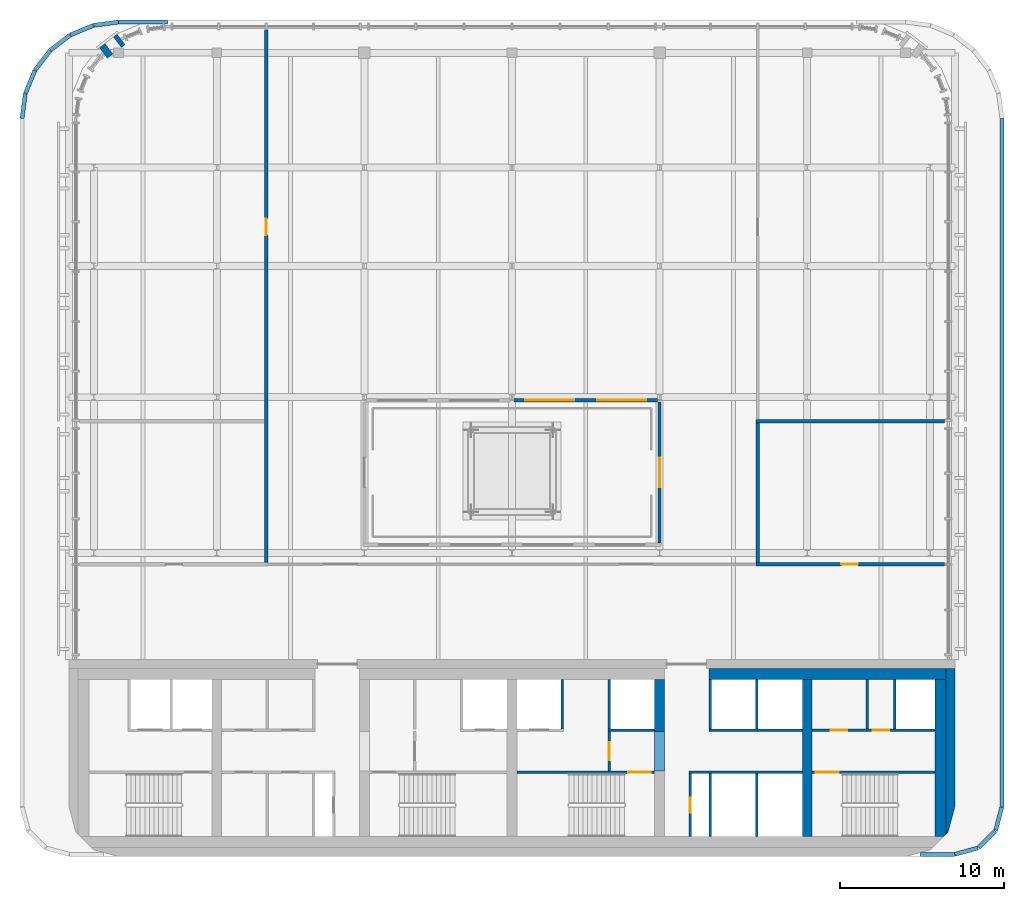
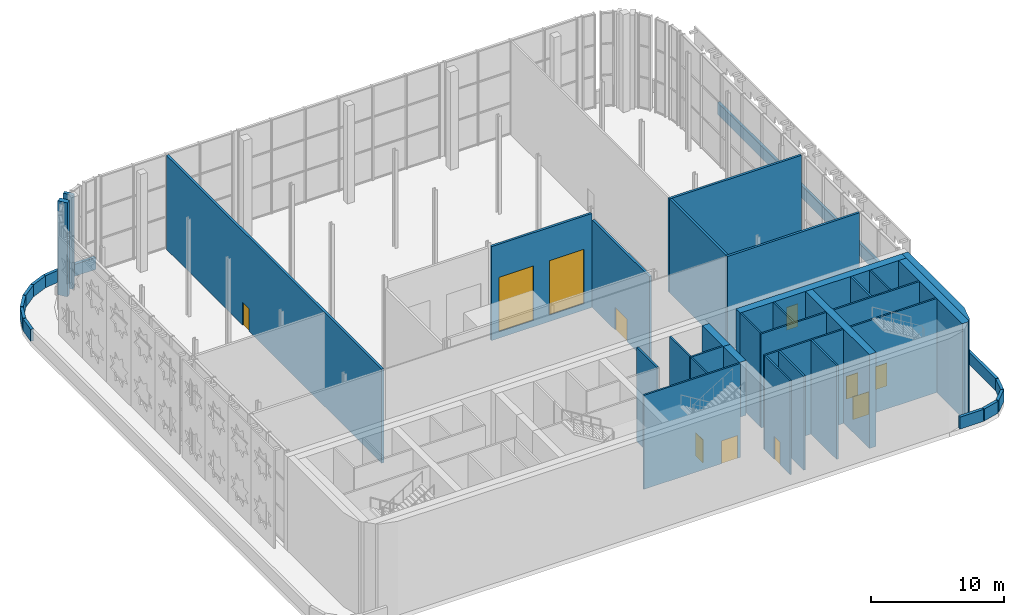
# One storey, part 19 of 26: 42 walls, 9 doors, 2 windows, 11 openings.
"""IFC4 building model written with IfcOpenShell, lengths in metres."""

from ifc_helpers import new_model, si_unit, direction, frame, frame_2d, origin, place, context, subcontext, project, spatial, polyline, rectangle, outline, extrude, material, layer, layer_set, type_object, element, fill, save


model = new_model("IFC4")

# Units and contexts
model_context = context("Model", 3, precision=1e-05, world=origin(), true_north=direction((0.0, 1.0)))
body_context = subcontext(model_context, "Body", "Model", "MODEL_VIEW")
ifc_project = project(units=[si_unit("LENGTHUNIT", "METRE"), si_unit("AREAUNIT", "SQUARE_METRE"), si_unit("VOLUMEUNIT", "CUBIC_METRE"), si_unit("PLANEANGLEUNIT", "RADIAN"), si_unit("MASSUNIT", "GRAM", prefix="KILO")], contexts=[model_context])

# Site, building, storey
site_placement = place(None, origin())
site = spatial("IfcSite", under=ifc_project, at=site_placement, CompositionType="ELEMENT")
building_placement = place(site_placement, origin())
building = spatial("IfcBuilding", under=site, at=building_placement, Name="Zellij Exchange Tower", CompositionType="ELEMENT")
storey_placement = place(building_placement, frame((0.0, 0.0, 296.5)))
storey = spatial("IfcBuildingStorey", under=building, at=storey_placement, Name="L70", CompositionType="ELEMENT", Elevation=296.5)

# Walls
ifc_material_1 = material(Name="Concrete C50/60", Category="concrete")
ifc_layer_1 = layer(ifc_material_1, 0.60009765625)
ifc_layer_set_1 = layer_set([ifc_layer_1], Name="Concrete C50/60")
wall_type_1 = type_object("IfcWallType", Name="CORE-CW 600 C50/60", PredefinedType="SHEAR", material=ifc_layer_set_1)
wall_1_placement = place(storey_placement, frame((9.0, -6.375, 0.0), z_axis=(0.0, 0.0, 1.0), x_axis=(0.0, 1.0, 0.0)))
element("IfcWall", 1, at=wall_1_placement, inside=storey, type_object=wall_type_1, Name="Core cross wall pier x 9 b L70", PredefinedType="SHEAR", context=body_context, shape_type="SweptSolid", body=[
    extrude(rectangle(XDim=3.175048828125, YDim=0.60009765625, at=frame_2d((1.58740234375, 0.0))), origin(), (0.0, 0.0, 1.0), 8.64990234375),
])
wall_2_placement = place(storey_placement, frame((9.0, -8.800048828125, 3.60009765625), z_axis=(0.0, 0.0, 1.0), x_axis=(0.0, 1.0, 0.0)))
element("IfcWall", 2, at=wall_2_placement, inside=storey, type_object=wall_type_1, Name="Core cross wall over opening x 9 L70", PredefinedType="SHEAR", context=body_context, shape_type="SweptSolid", body=[
    extrude(rectangle(XDim=2.425048828125, YDim=0.60009765625, at=frame_2d((1.21240234375, 0.0))), origin(), (0.0, 0.0, 1.0), 5.0498046875),
])
wall_3_placement = place(storey_placement, frame((18.0, -12.800048828125, 0.0), z_axis=(0.0, 0.0, 1.0), x_axis=(0.0, 1.0, 0.0)))
element("IfcWall", 3, at=wall_3_placement, inside=storey, type_object=wall_type_1, Name="Core cross wall x 18 L70", PredefinedType="SHEAR", context=body_context, shape_type="SweptSolid", body=[
    extrude(rectangle(XDim=9.60009765625, YDim=0.60009765625, at=frame_2d((4.800048828125, 0.0))), origin(), (0.0, 0.0, 1.0), 8.64990234375),
])
ifc_material_2 = material(Name="Concrete C30/37", Category="concrete")
ifc_layer_2 = layer(ifc_material_2, 0.64990234375)
ifc_layer_set_2 = layer_set([ifc_layer_2], Name="Concrete C30/37")
wall_type_2 = type_object("IfcWallType", Name="CORE-LW 650 C30/37", PredefinedType="SHEAR", material=ifc_layer_set_2)
wall_4_placement = place(storey_placement, frame((12.0, -2.875, 0.0), z_axis=(0.0, 0.0, 1.0), x_axis=(1.0, 0.0, 0.0)))
element("IfcWall", 4, at=wall_4_placement, inside=storey, type_object=wall_type_2, Name="Core wall lining front.2 L70", PredefinedType="SHEAR", context=body_context, shape_type="SweptSolid", body=[
    extrude(rectangle(XDim=14.449951171875, YDim=0.64990234375, at=frame_2d((7.22509765625, 0.0))), origin(), (0.0, 0.0, 1.0), 8.64990234375),
])
wall_5_placement = place(storey_placement, origin())
element("IfcWall", 5, at=wall_5_placement, inside=storey, type_object=wall_type_2, Name="Core wall lining end e.0 L70", PredefinedType="SHEAR", context=body_context, shape_type="SweptSolid", body=[
    extrude(outline(polyline([(25.800048828125, -12.800048828125), (25.800048828125, -3.199951171875), (26.449951171875, -3.199951171875), (26.449951171875, -12.648193359375), (26.298095703125, -12.800048828125), (25.800048828125, -12.800048828125)])), origin(), (0.0, 0.0, 1.0), 8.64990234375),
])

# Wall, opening, door
ifc_material_3 = material(Name="Gypsum shaft wall system")
ifc_layer_3 = layer(ifc_material_3, 0.14990234375)
ifc_layer_set_3 = layer_set([ifc_layer_3], Name="Gypsum shaft wall system")
wall_type_3 = type_object("IfcWallType", Name="CORE-PW 150 Firefighting lobby wall", PredefinedType="PARTITIONING", material=ifc_layer_set_3)
wall_6_placement = place(storey_placement, frame((5.925048828125, -8.800048828125, 0.0), z_axis=(0.0, 0.0, 1.0), x_axis=(0.0, 1.0, 0.0)))
wall_6 = element("IfcWall", 6, at=wall_6_placement, inside=storey, type_object=wall_type_3, Name="Firefighting lobby wall L70", PredefinedType="PARTITIONING", context=body_context, shape_type="SweptSolid", body=[
    extrude(rectangle(XDim=2.425048828125, YDim=0.14990234375, at=frame_2d((1.21240234375, 0.0))), origin(), (0.0, 0.0, 1.0), 8.64990234375),
])
opening_1_placement = place(wall_6_placement, frame((0.662109375, 0.0, 0.0)))
opening_1 = element("IfcOpeningElement", 7, at=opening_1_placement, cuts=wall_6, Name="Opening CA-37.14", PredefinedType="OPENING", context=body_context, shape_type="SweptSolid", body=[
    extrude(rectangle(XDim=1.10009765625, YDim=2.10009765625, at=frame_2d((0.550048828125, 1.050048828125))), frame((0.0, 0.0869140625, 0.0), z_axis=(0.0, -1.0, 0.0), x_axis=(1.0, 0.0, 0.0)), (0.0, 0.0, 1.0), 0.173828125),
])
ifc_material_4 = material(Name="Hollow metal fire door")
door_type_1 = type_object("IfcDoorType", Name="CORE-D F Firefighting lobby door 1100x2100 1 HR", OperationType="NOTDEFINED", PredefinedType="DOOR", material=ifc_material_4)
door_1_placement = place(opening_1_placement, origin())
door_1 = element("IfcDoor", 8, at=door_1_placement, inside=storey, type_object=door_type_1, Name="Firefighting lobby door CA-37.14", OperationType="SINGLE_SWING_RIGHT", OverallHeight=2.10009765625, OverallWidth=1.10009765625, PredefinedType="DOOR", context=body_context, shape_type="SweptSolid", body=[
    extrude(rectangle(XDim=1.10009765625, YDim=2.10009765625, at=frame_2d((0.550048828125, 1.050048828125))), frame((0.0, 0.02490234375, 0.0), z_axis=(0.0, -1.0, 0.0), x_axis=(1.0, 0.0, 0.0)), (0.0, 0.0, 1.0), 0.050048828125),
])
fill(opening_1, door_1)

# Walls
ifc_layer_4 = layer(ifc_material_3, 0.14990234375)
ifc_layer_set_4 = layer_set([ifc_layer_4], Name="Gypsum shaft wall system")
wall_type_4 = type_object("IfcWallType", Name="CORE-PW 150 Lift shaft wall", PredefinedType="PARTITIONING", material=ifc_layer_set_4)
for number, where, z_axis, x_axis, name in (
    (9, (3.074951171875, -6.22509765625, 0.0), (0.0, 0.0, 1.0), (0.0, 1.0, 0.0), "Lift shaft wall L70"),
    (10, (5.925048828125, -6.22509765625, 0.0), (0.0, 0.0, 1.0), (0.0, 1.0, 0.0), "Lift shaft wall L70"),
    (11, (12.074951171875, -6.22509765625, 0.0), (0.0, 0.0, 1.0), (0.0, 1.0, 0.0), "Lift shaft wall L70"),
    (12, (14.925048828125, -6.22509765625, 0.0), (0.0, 0.0, 1.0), (0.0, 1.0, 0.0), "Lift shaft wall L70"),
    (13, (23.324951171875, -6.22509765625, 0.0), (0.0, 0.0, 1.0), (0.0, 1.0, 0.0), "Lift shaft wall L70"),
):
    element("IfcWall", number, at=place(storey_placement, frame(where, z_axis=z_axis, x_axis=x_axis)), inside=storey, type_object=wall_type_4, Name=name, PredefinedType="PARTITIONING", context=body_context, shape_type="SweptSolid", body=[
        extrude(rectangle(XDim=3.025146484375, YDim=0.14990234375, at=frame_2d((1.5126953125, 0.0))), origin(), (0.0, 0.0, 1.0), 8.64990234375),
    ])
for number, where, z_axis, x_axis, name in (
    (14, (12.074951171875, -12.800048828125, 0.0), (0.0, 0.0, 1.0), (0.0, 1.0, 0.0), "Lift shaft wall L70"),
    (15, (14.925048828125, -12.800048828125, 0.0), (0.0, 0.0, 1.0), (0.0, 1.0, 0.0), "Lift shaft wall L70"),
):
    element("IfcWall", number, at=place(storey_placement, frame(where, z_axis=z_axis, x_axis=x_axis)), inside=storey, type_object=wall_type_4, Name=name, PredefinedType="PARTITIONING", context=body_context, shape_type="SweptSolid", body=[
        extrude(rectangle(XDim=3.85009765625, YDim=0.14990234375, at=frame_2d((1.925048828125, 0.0))), origin(), (0.0, 0.0, 1.0), 8.64990234375),
    ])
wall_7_placement = place(storey_placement, frame((5.85009765625, -6.300048828125, 0.0), z_axis=(0.0, 0.0, 1.0), x_axis=(1.0, 0.0, 0.0)))
element("IfcWall", 16, at=wall_7_placement, inside=storey, type_object=wall_type_4, Name="Lift shaft wall L70", PredefinedType="PARTITIONING", context=body_context, shape_type="SweptSolid", body=[
    extrude(rectangle(XDim=2.849853515625, YDim=0.14990234375, at=frame_2d((1.4248046875, 0.0))), origin(), (0.0, 0.0, 1.0), 8.64990234375),
])
wall_8_placement = place(storey_placement, frame((12.0, -6.300048828125, 0.0), z_axis=(0.0, 0.0, 1.0), x_axis=(1.0, 0.0, 0.0)))
element("IfcWall", 17, at=wall_8_placement, inside=storey, type_object=wall_type_4, Name="Lift shaft wall L70", PredefinedType="PARTITIONING", context=body_context, shape_type="SweptSolid", body=[
    extrude(rectangle(XDim=5.699951171875, YDim=0.14990234375, at=frame_2d((2.85009765625, 0.0))), origin(), (0.0, 0.0, 1.0), 8.64990234375),
])

# Wall, openings, doors
wall_9_placement = place(storey_placement, frame((18.300048828125, -6.300048828125, 0.0), z_axis=(0.0, 0.0, 1.0), x_axis=(1.0, 0.0, 0.0)))
wall_9 = element("IfcWall", 18, at=wall_9_placement, inside=storey, type_object=wall_type_4, Name="Lift shaft wall L70", PredefinedType="PARTITIONING", context=body_context, shape_type="SweptSolid", body=[
    extrude(rectangle(XDim=7.5, YDim=0.14990234375, at=frame_2d((3.75, 0.0))), origin(), (0.0, 0.0, 1.0), 8.64990234375),
])
opening_2_placement = place(wall_9_placement, frame((1.14990234375, 0.0, 0.0)))
opening_2 = element("IfcOpeningElement", 19, at=opening_2_placement, cuts=wall_9, Name="Opening CA-37.19", PredefinedType="OPENING", context=body_context, shape_type="SweptSolid", body=[
    extrude(rectangle(XDim=1.0, YDim=2.10009765625, at=frame_2d((0.5, 1.050048828125))), frame((0.0, 0.0869140625, 0.0), z_axis=(0.0, -1.0, 0.0), x_axis=(1.0, 0.0, 0.0)), (0.0, 0.0, 1.0), 0.173828125),
])
opening_3_placement = place(wall_9_placement, frame((3.699951171875, 0.0, 0.0)))
opening_3 = element("IfcOpeningElement", 20, at=opening_3_placement, cuts=wall_9, Name="Opening CA-37.20", PredefinedType="OPENING", context=body_context, shape_type="SweptSolid", body=[
    extrude(rectangle(XDim=1.0, YDim=2.10009765625, at=frame_2d((0.5, 1.050048828125))), frame((0.0, 0.0869140625, 0.0), z_axis=(0.0, -1.0, 0.0), x_axis=(1.0, 0.0, 0.0)), (0.0, 0.0, 1.0), 0.173828125),
])
door_type_2 = type_object("IfcDoorType", Name="CORE-D CDA Core room door 1000x2100 1.5 HR", OperationType="NOTDEFINED", PredefinedType="DOOR", material=ifc_material_4)
door_2_placement = place(opening_2_placement, origin())
door_2 = element("IfcDoor", 21, at=door_2_placement, inside=storey, type_object=door_type_2, Name="Core room door CA-37.19", OperationType="SINGLE_SWING_LEFT", OverallHeight=2.10009765625, OverallWidth=1.0, PredefinedType="DOOR", context=body_context, shape_type="SweptSolid", body=[
    extrude(rectangle(XDim=1.0, YDim=2.10009765625, at=frame_2d((0.5, 1.050048828125))), frame((0.0, 0.02490234375, 0.0), z_axis=(0.0, -1.0, 0.0), x_axis=(1.0, 0.0, 0.0)), (0.0, 0.0, 1.0), 0.050048828125),
])
fill(opening_2, door_2)
door_3_placement = place(opening_3_placement, origin())
door_3 = element("IfcDoor", 22, at=door_3_placement, inside=storey, type_object=door_type_2, Name="Core room door CA-37.20", OperationType="SINGLE_SWING_RIGHT", OverallHeight=2.10009765625, OverallWidth=1.0, PredefinedType="DOOR", context=body_context, shape_type="SweptSolid", body=[
    extrude(rectangle(XDim=1.0, YDim=2.10009765625, at=frame_2d((0.5, 1.050048828125))), frame((0.0, 0.02490234375, 0.0), z_axis=(0.0, -1.0, 0.0), x_axis=(1.0, 0.0, 0.0)), (0.0, 0.0, 1.0), 0.050048828125),
])
fill(opening_3, door_3)

# Walls
wall_10_placement = place(storey_placement, frame((10.800048828125, -8.875, 0.0), z_axis=(0.0, 0.0, 1.0), x_axis=(1.0, 0.0, 0.0)))
element("IfcWall", 23, at=wall_10_placement, inside=storey, type_object=wall_type_4, Name="Lift shaft wall L70", PredefinedType="PARTITIONING", context=body_context, shape_type="SweptSolid", body=[
    extrude(rectangle(XDim=6.89990234375, YDim=0.14990234375, at=frame_2d((3.449951171875, 0.0))), origin(), (0.0, 0.0, 1.0), 8.64990234375),
])
ifc_layer_5 = layer(ifc_material_3, 0.14990234375)
ifc_layer_set_5 = layer_set([ifc_layer_5], Name="Gypsum shaft wall system")
wall_type_5 = type_object("IfcWallType", Name="CORE-PW 150 Plant room wall", PredefinedType="PARTITIONING", material=ifc_layer_set_5)
wall_11_placement = place(storey_placement, frame((21.675048828125, -6.22509765625, 0.0), z_axis=(0.0, 0.0, 1.0), x_axis=(0.0, 1.0, 0.0)))
element("IfcWall", 24, at=wall_11_placement, inside=storey, type_object=wall_type_5, Name="Plant room wall L70", PredefinedType="PARTITIONING", context=body_context, shape_type="SweptSolid", body=[
    extrude(rectangle(XDim=3.025146484375, YDim=0.14990234375, at=frame_2d((1.5126953125, 0.0))), origin(), (0.0, 0.0, 1.0), 8.64990234375),
])

# Wall, opening, door
wall_12_placement = place(storey_placement, frame((10.875, -12.800048828125, 0.0), z_axis=(0.0, 0.0, 1.0), x_axis=(0.0, 1.0, 0.0)))
wall_12 = element("IfcWall", 25, at=wall_12_placement, inside=storey, type_object=wall_type_5, Name="Plant room wall L70", PredefinedType="PARTITIONING", context=body_context, shape_type="SweptSolid", body=[
    extrude(rectangle(XDim=3.85009765625, YDim=0.14990234375, at=frame_2d((1.925048828125, 0.0))), origin(), (0.0, 0.0, 1.0), 8.64990234375),
])
opening_4_placement = place(wall_12_placement, frame((1.47509765625, 0.0, 0.0)))
opening_4 = element("IfcOpeningElement", 26, at=opening_4_placement, cuts=wall_12, Name="Opening CA-37.17", PredefinedType="OPENING", context=body_context, shape_type="SweptSolid", body=[
    extrude(rectangle(XDim=0.89990234375, YDim=2.10009765625, at=frame_2d((0.449951171875, 1.050048828125))), frame((0.0, 0.0869140625, 0.0), z_axis=(0.0, -1.0, 0.0), x_axis=(1.0, 0.0, 0.0)), (0.0, 0.0, 1.0), 0.173828125),
])
door_type_3 = type_object("IfcDoorType", Name="CORE-D RD Riser door 900x2100 1.5 HR", OperationType="NOTDEFINED", PredefinedType="DOOR", material=ifc_material_4)
door_4_placement = place(opening_4_placement, origin())
door_4 = element("IfcDoor", 27, at=door_4_placement, inside=storey, type_object=door_type_3, Name="Riser door CA-37.17", OperationType="SINGLE_SWING_LEFT", OverallHeight=2.10009765625, OverallWidth=0.89990234375, PredefinedType="DOOR", context=body_context, shape_type="SweptSolid", body=[
    extrude(rectangle(XDim=0.89990234375, YDim=2.10009765625, at=frame_2d((0.449951171875, 1.050048828125))), frame((0.0, 0.02490234375, 0.0), z_axis=(0.0, -1.0, 0.0), x_axis=(1.0, 0.0, 0.0)), (0.0, 0.0, 1.0), 0.050048828125),
])
fill(opening_4, door_4)

# Wall
ifc_layer_6 = layer(ifc_material_1, 0.550048828125)
ifc_layer_set_6 = layer_set([ifc_layer_6], Name="Concrete C50/60")
wall_type_6 = type_object("IfcWallType", Name="CORE-SW 550 C50/60", PredefinedType="SHEAR", material=ifc_layer_set_6)
wall_13_placement = place(storey_placement, origin())
element("IfcWall", 28, at=wall_13_placement, inside=storey, type_object=wall_type_6, Name="Core shear wall end e L70", PredefinedType="SHEAR", context=body_context, shape_type="SweptSolid", body=[
    extrude(outline(polyline([(27.0, -11.0), (26.59814453125, -12.5), (26.449951171875, -12.648193359375), (26.449951171875, -2.550048828125), (27.0, -2.550048828125), (27.0, -11.0)])), origin(), (0.0, 0.0, 1.0), 8.64990234375),
])

# Wall, opening, door
ifc_layer_7 = layer(ifc_material_1, 0.14990234375)
ifc_layer_set_7 = layer_set([ifc_layer_7], Name="Concrete C50/60")
wall_type_7 = type_object("IfcWallType", Name="CORE-SWS 150 C50/60", PredefinedType="SHEAR", material=ifc_layer_set_7)
wall_14_placement = place(storey_placement, frame((0.300048828125, -8.875, 0.0), z_axis=(0.0, 0.0, 1.0), x_axis=(1.0, 0.0, 0.0)))
wall_14 = element("IfcWall", 29, at=wall_14_placement, inside=storey, type_object=wall_type_7, Name="Stair enclosure wall L70", PredefinedType="SHEAR", context=body_context, shape_type="SweptSolid", body=[
    extrude(rectangle(XDim=8.39990234375, YDim=0.14990234375, at=frame_2d((4.199951171875, 0.0))), origin(), (0.0, 0.0, 1.0), 8.64990234375),
])
opening_5_placement = place(wall_14_placement, frame((6.77490234375, 0.0, 0.0)))
opening_5 = element("IfcOpeningElement", 30, at=opening_5_placement, cuts=wall_14, Name="Opening CA-37.15", PredefinedType="OPENING", context=body_context, shape_type="SweptSolid", body=[
    extrude(rectangle(XDim=1.39990234375, YDim=2.10009765625, at=frame_2d((0.699951171875, 1.050048828125))), frame((0.0, 0.0869140625, 0.0), z_axis=(0.0, -1.0, 0.0), x_axis=(1.0, 0.0, 0.0)), (0.0, 0.0, 1.0), 0.173828125),
])
door_type_4 = type_object("IfcDoorType", Name="CORE-D SD Stair door 1400x2100 1.5 HR", OperationType="NOTDEFINED", PredefinedType="DOOR", material=ifc_material_4)
door_5_placement = place(opening_5_placement, origin())
door_5 = element("IfcDoor", 31, at=door_5_placement, inside=storey, type_object=door_type_4, Name="Stair door CA-37.15", OperationType="DOUBLE_DOOR_SINGLE_SWING", OverallHeight=2.10009765625, OverallWidth=1.39990234375, PredefinedType="DOOR", context=body_context, shape_type="SweptSolid", body=[
    extrude(rectangle(XDim=1.39990234375, YDim=2.10009765625, at=frame_2d((0.699951171875, 1.050048828125))), frame((0.0, 0.02490234375, 0.0), z_axis=(0.0, -1.0, 0.0), x_axis=(1.0, 0.0, 0.0)), (0.0, 0.0, 1.0), 0.050048828125),
])
fill(opening_5, door_5)

wall_15_placement = place(storey_placement, frame((18.300048828125, -8.875, 0.0), z_axis=(0.0, 0.0, 1.0), x_axis=(1.0, 0.0, 0.0)))
wall_15 = element("IfcWall", 32, at=wall_15_placement, inside=storey, type_object=wall_type_7, Name="Stair enclosure wall L70", PredefinedType="SHEAR", context=body_context, shape_type="SweptSolid", body=[
    extrude(rectangle(XDim=7.5, YDim=0.14990234375, at=frame_2d((3.75, 0.0))), origin(), (0.0, 0.0, 1.0), 8.64990234375),
])
opening_6_placement = place(wall_15_placement, frame((0.22509765625, 0.0, 0.0)))
opening_6 = element("IfcOpeningElement", 33, at=opening_6_placement, cuts=wall_15, Name="Opening CA-37.18", PredefinedType="OPENING", context=body_context, shape_type="SweptSolid", body=[
    extrude(rectangle(XDim=1.39990234375, YDim=2.10009765625, at=frame_2d((0.699951171875, 1.050048828125))), frame((0.0, 0.0869140625, 0.0), z_axis=(0.0, -1.0, 0.0), x_axis=(1.0, 0.0, 0.0)), (0.0, 0.0, 1.0), 0.173828125),
])
door_6_placement = place(opening_6_placement, origin())
door_6 = element("IfcDoor", 34, at=door_6_placement, inside=storey, type_object=door_type_4, Name="Stair door CA-37.18", OperationType="DOUBLE_DOOR_SINGLE_SWING", OverallHeight=2.10009765625, OverallWidth=1.39990234375, PredefinedType="DOOR", context=body_context, shape_type="SweptSolid", body=[
    extrude(rectangle(XDim=1.39990234375, YDim=2.10009765625, at=frame_2d((0.699951171875, 1.050048828125))), frame((0.0, 0.02490234375, 0.0), z_axis=(0.0, -1.0, 0.0), x_axis=(1.0, 0.0, 0.0)), (0.0, 0.0, 1.0), 0.050048828125),
])
fill(opening_6, door_6)

# Walls
ifc_material_5 = material(Name="Precast concrete C40/50", Category="concrete")
ifc_layer_8 = layer(ifc_material_5, 0.800048828125)
ifc_layer_set_8 = layer_set([ifc_layer_8], Name="Precast concrete C40/50")
wall_type_8 = type_object("IfcWallType", Name="ENV-EW1 Precast stone-piered wall 800", PredefinedType="SOLIDWALL", material=ifc_layer_set_8)
wall_16_placement = place(storey_placement, frame((-23.840087890625, 35.814697265625, 0.0), z_axis=(0.0, 0.0, 1.0), x_axis=(-0.793219322038, -0.608936045201, 0.0)))
element("IfcWall", 35, at=wall_16_placement, inside=storey, type_object=wall_type_8, Name="fac.L70.14a", PredefinedType="SOLIDWALL", context=body_context, shape_type="SweptSolid", body=[
    extrude(rectangle(XDim=0.274169921875, YDim=0.800048828125, at=frame_2d((0.13720703125, 0.0))), origin(), (0.0, 0.0, 1.0), 8.64990234375),
])
wall_17_placement = place(storey_placement, frame((-24.583251953125, 35.244384765625, 0.0), z_axis=(0.0, 0.0, 1.0), x_axis=(-0.793165294641, -0.609006416532, 0.0)))
element("IfcWall", 36, at=wall_17_placement, inside=storey, type_object=wall_type_8, Name="fac.L70.14b", PredefinedType="SOLIDWALL", context=body_context, shape_type="SweptSolid", body=[
    extrude(rectangle(XDim=0.4189453125, YDim=0.800048828125, at=frame_2d((0.20947265625, 0.0))), origin(), (0.0, 0.0, 1.0), 8.64990234375),
])
ifc_layer_9 = layer(ifc_material_5, 0.25)
ifc_layer_set_9 = layer_set([ifc_layer_9], Name="Precast concrete C40/50")
wall_type_9 = type_object("IfcWallType", Name="ENV-PR1 Parapet 250", PredefinedType="PARAPET", material=ifc_layer_set_9)
wall_18_placement = place(storey_placement, frame((-21.000732421875, 36.875, 0.0), z_axis=(0.0, 0.0, 1.0), x_axis=(-1.0, 0.0, 0.0)))
element("IfcWall", 37, at=wall_18_placement, inside=storey, type_object=wall_type_9, Name="fac.par.L70.01.01.01", PredefinedType="PARAPET", context=body_context, shape_type="SweptSolid", body=[
    extrude(rectangle(XDim=2.98291015625, YDim=0.25, at=frame_2d((1.491455078125, 0.0))), origin(), (0.0, 0.0, 1.0), 1.10009765625),
])
wall_19_placement = place(storey_placement, frame((-24.0, 36.873779296875, 0.0), z_axis=(0.0, 0.0, 1.0), x_axis=(-0.991465248625, -0.130371242108, 0.0)))
element("IfcWall", 38, at=wall_19_placement, inside=storey, type_object=wall_type_9, Name="fac.par.L70.01.01.02", PredefinedType="PARAPET", context=body_context, shape_type="SweptSolid", body=[
    extrude(rectangle(XDim=1.516845703125, YDim=0.25, at=frame_2d((0.75830078125, 0.0))), origin(), (0.0, 0.0, 1.0), 1.10009765625),
])
for number, where, z_axis, x_axis, name in (
    (39, (-25.535400390625, 36.66748046875, 0.0), (0.0, 0.0, 1.0), (-0.923874044744, -0.382696680739, 0.0), "fac.par.L70.01.01.03"),
    (40, (-26.949951171875, 36.076904296875, 0.0), (0.0, 0.0, 1.0), (-0.793391561776, -0.608711614562, 0.0), "fac.par.L70.01.01.04"),
    (41, (-28.16357421875, 35.140380859375, 0.0), (0.0, 0.0, 1.0), (-0.608711614562, -0.793391561776, 0.0), "fac.par.L70.01.01.05"),
    (42, (-29.09326171875, 33.921630859375, 0.0), (0.0, 0.0, 1.0), (-0.382696680739, -0.923874044744, 0.0), "fac.par.L70.01.01.06"),
):
    element("IfcWall", number, at=place(storey_placement, frame(where, z_axis=z_axis, x_axis=x_axis)), inside=storey, type_object=wall_type_9, Name=name, PredefinedType="PARAPET", context=body_context, shape_type="SweptSolid", body=[
        extrude(rectangle(XDim=1.50048828125, YDim=0.25, at=frame_2d((0.750244140625, 0.0))), origin(), (0.0, 0.0, 1.0), 1.10009765625),
    ])
wall_20_placement = place(storey_placement, frame((-29.676025390625, 32.50390625, 0.0), z_axis=(0.0, 0.0, 1.0), x_axis=(-0.130371242108, -0.991465248625, 0.0)))
element("IfcWall", 43, at=wall_20_placement, inside=storey, type_object=wall_type_9, Name="fac.par.L70.01.01.07", PredefinedType="PARAPET", context=body_context, shape_type="SweptSolid", body=[
    extrude(rectangle(XDim=1.516845703125, YDim=0.25, at=frame_2d((0.75830078125, 0.0))), origin(), (0.0, 0.0, 1.0), 1.10009765625),
])
wall_21_placement = place(storey_placement, frame((24.910400390625, -13.875, 0.0), z_axis=(0.0, 0.0, 1.0), x_axis=(1.0, 0.0, 0.0)))
element("IfcWall", 44, at=wall_21_placement, inside=storey, type_object=wall_type_9, Name="fac.par.L70.02.01.01", PredefinedType="PARAPET", context=body_context, shape_type="SweptSolid", body=[
    extrude(rectangle(XDim=2.056640625, YDim=0.25, at=frame_2d((1.0283203125, 0.0))), origin(), (0.0, 0.0, 1.0), 1.10009765625),
])
wall_22_placement = place(storey_placement, frame((26.99951171875, -13.87060546875, 0.0), z_axis=(0.0, 0.0, 1.0), x_axis=(0.965933050165, 0.258792083725, 0.0)))
element("IfcWall", 45, at=wall_22_placement, inside=storey, type_object=wall_type_9, Name="fac.par.L70.02.01.02", PredefinedType="PARAPET", context=body_context, shape_type="SweptSolid", body=[
    extrude(rectangle(XDim=1.452880859375, YDim=0.25, at=frame_2d((0.7265625, 0.0))), origin(), (0.0, 0.0, 1.0), 1.10009765625),
])
wall_23_placement = place(storey_placement, frame((28.458984375, -13.46240234375, 0.0), z_axis=(0.0, 0.0, 1.0), x_axis=(0.707106781187, 0.707106781187, 0.0)))
element("IfcWall", 46, at=wall_23_placement, inside=storey, type_object=wall_type_9, Name="fac.par.L70.02.01.03", PredefinedType="PARAPET", context=body_context, shape_type="SweptSolid", body=[
    extrude(rectangle(XDim=1.4189453125, YDim=0.25, at=frame_2d((0.70947265625, 0.0))), origin(), (0.0, 0.0, 1.0), 1.10009765625),
])
wall_24_placement = place(storey_placement, frame((29.49462890625, -12.40283203125, 0.0), z_axis=(0.0, 0.0, 1.0), x_axis=(0.258792083725, 0.965933050165, 0.0)))
element("IfcWall", 47, at=wall_24_placement, inside=storey, type_object=wall_type_9, Name="fac.par.L70.02.01.04", PredefinedType="PARAPET", context=body_context, shape_type="SweptSolid", body=[
    extrude(rectangle(XDim=1.452880859375, YDim=0.25, at=frame_2d((0.7265625, 0.0))), origin(), (0.0, 0.0, 1.0), 1.10009765625),
])
wall_25_placement = place(storey_placement, frame((29.875, -10.967041015625, 0.0), z_axis=(0.0, 0.0, 1.0), x_axis=(0.0, 1.0, 0.0)))
element("IfcWall", 48, at=wall_25_placement, inside=storey, type_object=wall_type_9, Name="fac.par.L70.02.01.05", PredefinedType="PARAPET", context=body_context, shape_type="SweptSolid", body=[
    extrude(rectangle(XDim=41.95068359375, YDim=0.25, at=frame_2d((20.975341796875, 0.0))), origin(), (0.0, 0.0, 1.0), 1.10009765625),
])

# Wall, opening, door
ifc_material_6 = material(Name="Blockwork fire wall", Category="masonry")
ifc_layer_10 = layer(ifc_material_6, 0.199951171875)
ifc_layer_set_10 = layer_set([ifc_layer_10], Name="Blockwork fire wall")
wall_type_10 = type_object("IfcWallType", Name="FIT-BLOCKWORK-200-EI120", PredefinedType="PARTITIONING", material=ifc_layer_set_10)
wall_26_placement = place(storey_placement, frame((-14.989990234375, 3.909912109375, 0.0), z_axis=(0.0, 0.0, 1.0), x_axis=(0.0, 1.0, 0.0)))
wall_26 = element("IfcWall", 49, at=wall_26_placement, inside=storey, type_object=wall_type_10, Name="FIT-BLOCKWORK-200-EI120 003", PredefinedType="PARTITIONING", context=body_context, shape_type="SweptSolid", body=[
    extrude(rectangle(XDim=32.466064453125, YDim=0.199951171875, at=frame_2d((16.23291015625, 0.0))), origin(), (0.0, 0.0, 1.0), 8.64990234375),
])
opening_7_placement = place(wall_26_placement, frame((19.97998046875, 0.0, 0.0)))
opening_7 = element("IfcOpeningElement", 50, at=opening_7_placement, cuts=wall_26, Name="Opening DMP.07", PredefinedType="OPENING", context=body_context, shape_type="SweptSolid", body=[
    extrude(rectangle(XDim=1.0, YDim=2.10009765625, at=frame_2d((0.5, 1.050048828125))), frame((0.0, 0.11181640625, 0.0), z_axis=(0.0, -1.0, 0.0), x_axis=(1.0, 0.0, 0.0)), (0.0, 0.0, 1.0), 0.223876953125),
])
ifc_material_7 = material(Name="Steel fire door set", Category="steel")
door_type_5 = type_object("IfcDoorType", Name="FIT-D21-PLANT-1000X2100", OperationType="SINGLE_SWING_LEFT", PredefinedType="DOOR", material=ifc_material_7)
door_7_placement = place(opening_7_placement, origin())
door_7 = element("IfcDoor", 51, at=door_7_placement, inside=storey, type_object=door_type_5, Name="Door DMP.07", OperationType="SINGLE_SWING_RIGHT", OverallHeight=2.10009765625, OverallWidth=1.0, PredefinedType="DOOR", context=body_context, shape_type="SweptSolid", body=[
    extrude(rectangle(XDim=1.0, YDim=2.10009765625, at=frame_2d((0.5, 1.050048828125))), frame((0.0, 0.02490234375, 0.0), z_axis=(0.0, -1.0, 0.0), x_axis=(1.0, 0.0, 0.0)), (0.0, 0.0, 1.0), 0.050048828125),
])
fill(opening_7, door_7)

wall_27_placement = place(storey_placement, frame((14.889892578125, 3.81005859375, 0.0), z_axis=(0.0, 0.0, 1.0), x_axis=(1.0, 0.0, 0.0)))
wall_27 = element("IfcWall", 52, at=wall_27_placement, inside=storey, type_object=wall_type_10, Name="FIT-BLOCKWORK-200-EI120 004", PredefinedType="PARTITIONING", context=body_context, shape_type="SweptSolid", body=[
    extrude(rectangle(XDim=11.486083984375, YDim=0.199951171875, at=frame_2d((5.7431640625, 0.0))), origin(), (0.0, 0.0, 1.0), 8.64990234375),
])
opening_8_placement = place(wall_27_placement, frame((5.199951171875, 0.0, 0.0)))
opening_8 = element("IfcOpeningElement", 53, at=opening_8_placement, cuts=wall_27, Name="Opening DMP.04", PredefinedType="OPENING", context=body_context, shape_type="SweptSolid", body=[
    extrude(rectangle(XDim=1.0, YDim=2.10009765625, at=frame_2d((0.5, 1.050048828125))), frame((0.0, 0.11181640625, 0.0), z_axis=(0.0, -1.0, 0.0), x_axis=(1.0, 0.0, 0.0)), (0.0, 0.0, 1.0), 0.223876953125),
])
door_8_placement = place(opening_8_placement, origin())
door_8 = element("IfcDoor", 54, at=door_8_placement, inside=storey, type_object=door_type_5, Name="Door DMP.04", OperationType="SINGLE_SWING_LEFT", OverallHeight=2.10009765625, OverallWidth=1.0, PredefinedType="DOOR", context=body_context, shape_type="SweptSolid", body=[
    extrude(rectangle(XDim=1.0, YDim=2.10009765625, at=frame_2d((0.5, 1.050048828125))), frame((0.0, 0.02490234375, 0.0), z_axis=(0.0, -1.0, 0.0), x_axis=(1.0, 0.0, 0.0)), (0.0, 0.0, 1.0), 0.050048828125),
])
fill(opening_8, door_8)

# Wall
wall_28_placement = place(storey_placement, frame((14.989990234375, 3.909912109375, 0.0), z_axis=(0.0, 0.0, 1.0), x_axis=(0.0, 1.0, 0.0)))
element("IfcWall", 55, at=wall_28_placement, inside=storey, type_object=wall_type_10, Name="FIT-BLOCKWORK-200-EI120 005", PredefinedType="PARTITIONING", context=body_context, shape_type="SweptSolid", body=[
    extrude(rectangle(XDim=8.530029296875, YDim=0.199951171875, at=frame_2d((4.26513671875, 0.0))), origin(), (0.0, 0.0, 1.0), 8.64990234375),
])

# Wall, opening, door
wall_29_placement = place(storey_placement, frame((9.0, 5.10009765625, 0.0), z_axis=(0.0, 0.0, 1.0), x_axis=(0.0, 1.0, 0.0)))
wall_29 = element("IfcWall", 56, at=wall_29_placement, inside=storey, type_object=wall_type_10, Name="FIT-BLOCKWORK-200-EI120 008", PredefinedType="PARTITIONING", context=body_context, shape_type="SweptSolid", body=[
    extrude(rectangle(XDim=8.619873046875, YDim=0.199951171875, at=frame_2d((4.31005859375, 0.0))), origin(), (0.0, 0.0, 1.0), 8.037841796875),
])
opening_9_placement = place(wall_29_placement, frame((3.39990234375, 0.0, 0.0)))
opening_9 = element("IfcOpeningElement", 57, at=opening_9_placement, cuts=wall_29, Name="Opening DMP.06", PredefinedType="OPENING", context=body_context, shape_type="SweptSolid", body=[
    extrude(rectangle(XDim=1.800048828125, YDim=2.10009765625, at=frame_2d((0.89990234375, 1.050048828125))), frame((0.0, 0.11181640625, 0.0), z_axis=(0.0, -1.0, 0.0), x_axis=(1.0, 0.0, 0.0)), (0.0, 0.0, 1.0), 0.223876953125),
])
door_type_6 = type_object("IfcDoorType", Name="FIT-D22-PLANT-DOUBLE-1800X2100", OperationType="DOUBLE_DOOR_SINGLE_SWING", PredefinedType="DOOR", material=ifc_material_7)
door_9_placement = place(opening_9_placement, origin())
door_9 = element("IfcDoor", 58, at=door_9_placement, inside=storey, type_object=door_type_6, Name="Door DMP.06", OperationType="DOUBLE_DOOR_SINGLE_SWING", OverallHeight=2.10009765625, OverallWidth=1.800048828125, PredefinedType="DOOR", context=body_context, shape_type="SweptSolid", body=[
    extrude(rectangle(XDim=1.800048828125, YDim=2.10009765625, at=frame_2d((0.89990234375, 1.050048828125))), frame((0.0, 0.02490234375, 0.0), z_axis=(0.0, -1.0, 0.0), x_axis=(1.0, 0.0, 0.0)), (0.0, 0.0, 1.0), 0.050048828125),
])
fill(opening_9, door_9)

# Wall
wall_30_placement = place(storey_placement, frame((14.889892578125, 12.5400390625, 0.0), z_axis=(0.0, 0.0, 1.0), x_axis=(1.0, 0.0, 0.0)))
element("IfcWall", 59, at=wall_30_placement, inside=storey, type_object=wall_type_10, Name="FIT-BLOCKWORK-200-EI120 010", PredefinedType="PARTITIONING", context=body_context, shape_type="SweptSolid", body=[
    extrude(rectangle(XDim=11.486083984375, YDim=0.199951171875, at=frame_2d((5.7431640625, 0.0))), origin(), (0.0, 0.0, 1.0), 8.64990234375),
])

# Wall, openings, windows
wall_31_placement = place(storey_placement, frame((0.126953125, 13.820068359375, 0.0), z_axis=(0.0, 0.0, 1.0), x_axis=(1.0, 0.0, 0.0)))
wall_31 = element("IfcWall", 60, at=wall_31_placement, inside=storey, type_object=wall_type_10, Name="FIT-BLOCKWORK-200-EI120 013", PredefinedType="PARTITIONING", context=body_context, shape_type="SweptSolid", body=[
    extrude(rectangle(XDim=8.74609375, YDim=0.199951171875, at=frame_2d((4.373046875, 0.0))), origin(), (0.0, 0.0, 1.0), 8.64990234375),
])
opening_10_placement = place(wall_31_placement, frame((0.673095703125, 0.0, 0.60009765625)))
opening_10 = element("IfcOpeningElement", 61, at=opening_10_placement, cuts=wall_31, Name="Opening DMP.15", PredefinedType="OPENING", context=body_context, shape_type="SweptSolid", body=[
    extrude(rectangle(XDim=3.0, YDim=5.0, at=frame_2d((1.5, 2.5))), frame((0.0, 0.11181640625, 0.0), z_axis=(0.0, -1.0, 0.0), x_axis=(1.0, 0.0, 0.0)), (0.0, 0.0, 1.0), 0.223876953125),
])
opening_11_placement = place(wall_31_placement, frame((5.072998046875, 0.0, 0.60009765625)))
opening_11 = element("IfcOpeningElement", 62, at=opening_11_placement, cuts=wall_31, Name="Opening DMP.16", PredefinedType="OPENING", context=body_context, shape_type="SweptSolid", body=[
    extrude(rectangle(XDim=3.0, YDim=5.0, at=frame_2d((1.5, 2.5))), frame((0.0, 0.11181640625, 0.0), z_axis=(0.0, -1.0, 0.0), x_axis=(1.0, 0.0, 0.0)), (0.0, 0.0, 1.0), 0.223876953125),
])
ifc_material_8 = material(Name="Fire-rated glazing in steel frame", Category="steel")
window_type = type_object("IfcWindowType", Name="FIT-GLAZED-PARTITION-WINDOW-3000X5000", PartitioningType="SINGLE_PANEL", PredefinedType="WINDOW", material=ifc_material_8)
window_1_placement = place(opening_10_placement, origin())
window_1 = element("IfcWindow", 63, at=window_1_placement, inside=storey, type_object=window_type, Name="Window DMP.15", OverallHeight=5.0, OverallWidth=3.0, PartitioningType="SINGLE_PANEL", PredefinedType="WINDOW", context=body_context, shape_type="SweptSolid", body=[
    extrude(rectangle(XDim=3.0, YDim=5.0, at=frame_2d((1.5, 2.5))), frame((0.0, 0.030029296875, 0.0), z_axis=(0.0, -1.0, 0.0), x_axis=(1.0, 0.0, 0.0)), (0.0, 0.0, 1.0), 0.06005859375),
])
fill(opening_10, window_1)
window_2_placement = place(opening_11_placement, origin())
window_2 = element("IfcWindow", 64, at=window_2_placement, inside=storey, type_object=window_type, Name="Window DMP.16", OverallHeight=5.0, OverallWidth=3.0, PartitioningType="SINGLE_PANEL", PredefinedType="WINDOW", context=body_context, shape_type="SweptSolid", body=[
    extrude(rectangle(XDim=3.0, YDim=5.0, at=frame_2d((1.5, 2.5))), frame((0.0, 0.030029296875, 0.0), z_axis=(0.0, -1.0, 0.0), x_axis=(1.0, 0.0, 0.0)), (0.0, 0.0, 1.0), 0.06005859375),
])
fill(opening_11, window_2)

save(model, "model.ifc")
